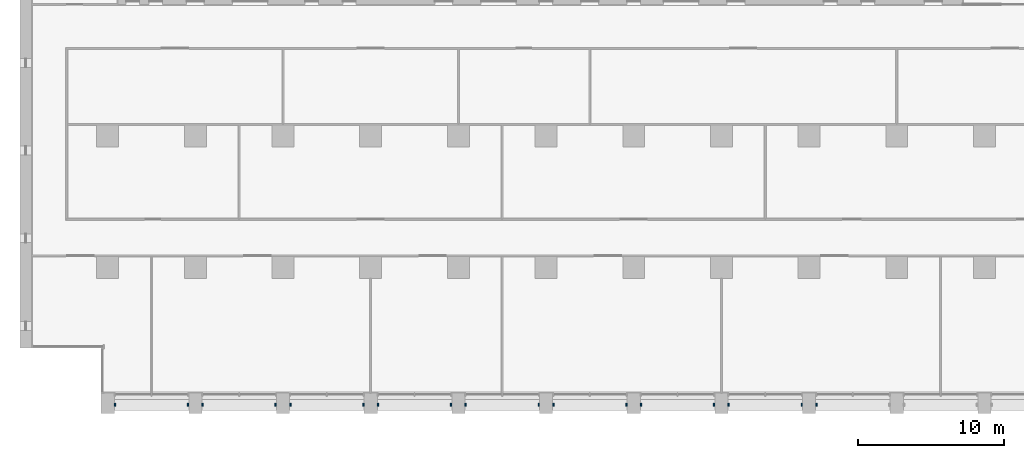
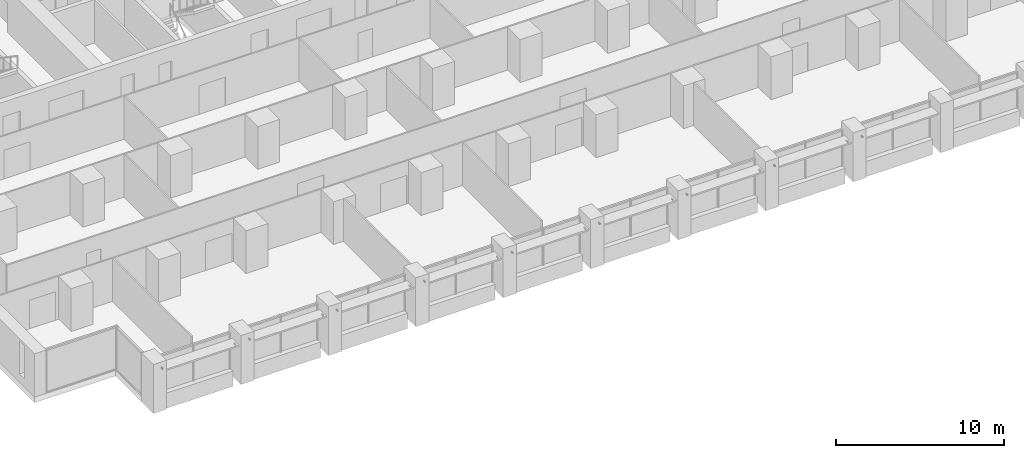
# One storey, part 15 of 18: 17 discrete accessories.
"""IFC4 building model written with IfcOpenShell, lengths in metres."""

from ifc_helpers import new_model, si_unit, direction, frame, origin, origin_2d, place, context, subcontext, project, spatial, rectangle, extrude, element, save


model = new_model("IFC4")

# Units and contexts
model_context = context("Model", 3, precision=1e-05, world=origin(), true_north=direction((0.0, 1.0)))
body_context = subcontext(model_context, "Body", "Model", "MODEL_VIEW")
ifc_project = project(units=[si_unit("LENGTHUNIT", "METRE"), si_unit("AREAUNIT", "SQUARE_METRE"), si_unit("VOLUMEUNIT", "CUBIC_METRE"), si_unit("PLANEANGLEUNIT", "RADIAN"), si_unit("MASSUNIT", "GRAM", prefix="KILO")], contexts=[model_context])

# Site, building, storey
site_placement = place(None, origin())
site = spatial("IfcSite", under=ifc_project, at=site_placement, CompositionType="ELEMENT")
building_placement = place(site_placement, origin())
building = spatial("IfcBuilding", under=site, at=building_placement, Name="Calvaro Tower", CompositionType="ELEMENT")
storey_placement = place(building_placement, frame((0.0, 0.0, 86.25)))
storey = spatial("IfcBuildingStorey", under=building, at=storey_placement, Name="L21", CompositionType="ELEMENT", Elevation=86.25)

# Discrete accessories
for number, where, z_axis, x_axis, name in (
    (1, (6.5, 0.60009765625, 2.14990234375), (0.0, 0.0, 1.0), (1.0, 0.0, 0.0), "Brise-soleil bracket"),
    (2, (11.5, 0.60009765625, 2.14990234375), (0.0, 0.0, 1.0), (1.0, 0.0, 0.0), "Brise-soleil bracket"),
    (3, (12.5, 0.60009765625, 2.14990234375), (0.0, 0.0, 1.0), (1.0, 0.0, 0.0), "Brise-soleil bracket"),
    (4, (17.5, 0.60009765625, 2.14990234375), (0.0, 0.0, 1.0), (1.0, 0.0, 0.0), "Brise-soleil bracket"),
    (5, (18.5, 0.60009765625, 2.14990234375), (0.0, 0.0, 1.0), (1.0, 0.0, 0.0), "Brise-soleil bracket"),
    (6, (23.5, 0.60009765625, 2.14990234375), (0.0, 0.0, 1.0), (1.0, 0.0, 0.0), "Brise-soleil bracket"),
    (7, (24.5, 0.60009765625, 2.14990234375), (0.0, 0.0, 1.0), (1.0, 0.0, 0.0), "Brise-soleil bracket"),
    (8, (29.5, 0.60009765625, 2.14990234375), (0.0, 0.0, 1.0), (1.0, 0.0, 0.0), "Brise-soleil bracket"),
    (9, (30.5, 0.60009765625, 2.14990234375), (0.0, 0.0, 1.0), (1.0, 0.0, 0.0), "Brise-soleil bracket"),
    (10, (35.5, 0.60009765625, 2.14990234375), (0.0, 0.0, 1.0), (1.0, 0.0, 0.0), "Brise-soleil bracket"),
    (11, (36.5, 0.60009765625, 2.14990234375), (0.0, 0.0, 1.0), (1.0, 0.0, 0.0), "Brise-soleil bracket"),
    (12, (41.5, 0.60009765625, 2.14990234375), (0.0, 0.0, 1.0), (1.0, 0.0, 0.0), "Brise-soleil bracket"),
    (13, (42.5, 0.60009765625, 2.14990234375), (0.0, 0.0, 1.0), (1.0, 0.0, 0.0), "Brise-soleil bracket"),
    (14, (47.5, 0.60009765625, 2.14990234375), (0.0, 0.0, 1.0), (1.0, 0.0, 0.0), "Brise-soleil bracket"),
    (15, (48.5, 0.60009765625, 2.14990234375), (0.0, 0.0, 1.0), (1.0, 0.0, 0.0), "Brise-soleil bracket"),
    (16, (53.5, 0.60009765625, 2.14990234375), (0.0, 0.0, 1.0), (1.0, 0.0, 0.0), "Brise-soleil bracket"),
    (17, (54.5, 0.60009765625, 2.14990234375), (0.0, 0.0, 1.0), (1.0, 0.0, 0.0), "Brise-soleil bracket"),
):
    element("IfcDiscreteAccessory", number, at=place(storey_placement, frame(where, z_axis=z_axis, x_axis=x_axis)), inside=storey, Name=name, PredefinedType="BRACKET", context=body_context, shape_type="SweptSolid", body=[
        extrude(rectangle(XDim=0.10009765625, YDim=0.199951171875, at=origin_2d()), origin(), (0.0, 0.0, 1.0), 0.10009765625),
    ])

save(model, "model.ifc")
